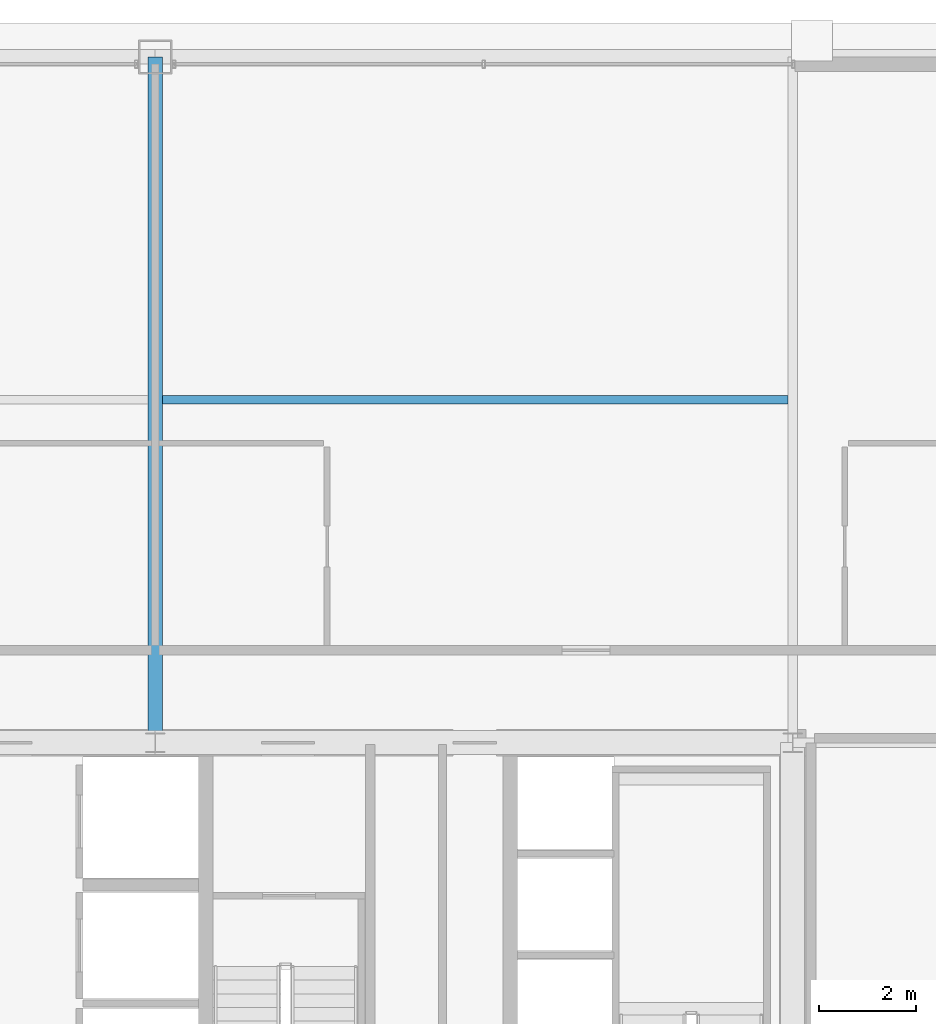
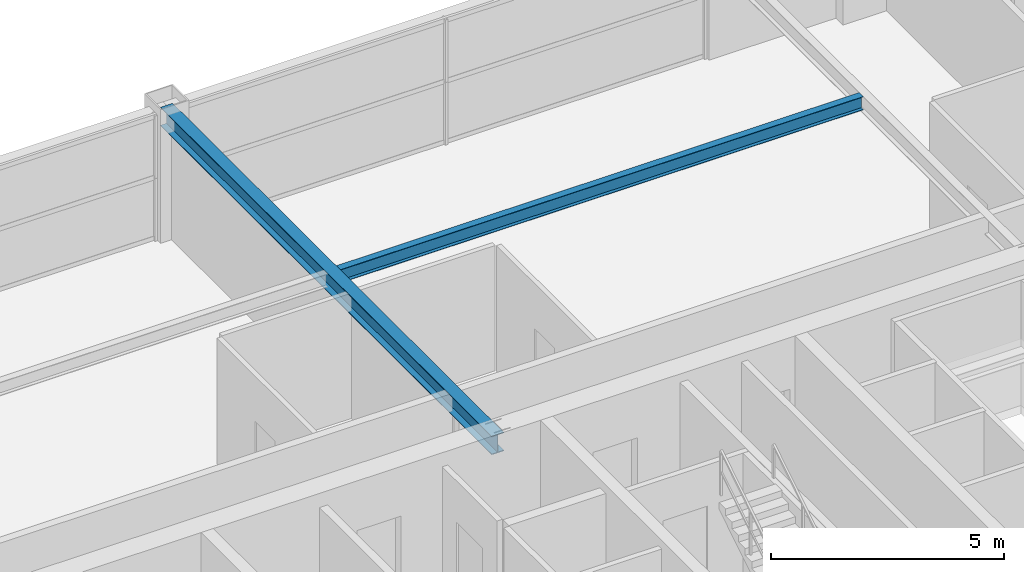
# One storey, part 27 of 36: 2 beams.
"""IFC4 building model written with IfcOpenShell, lengths in metres."""

from ifc_helpers import new_model, si_unit, direction, frame, origin, origin_2d, place, context, subcontext, project, spatial, i_section, extrude, source, transform, mapped, material, material_profile, profile_set, type_object, element, save


model = new_model("IFC4")

# Units and contexts
model_context = context("Model", 3, precision=1e-05, world=origin(), true_north=direction((0.0, 1.0)))
body_context = subcontext(model_context, "Body", "Model", "MODEL_VIEW")
ifc_project = project(units=[si_unit("LENGTHUNIT", "METRE"), si_unit("AREAUNIT", "SQUARE_METRE"), si_unit("VOLUMEUNIT", "CUBIC_METRE"), si_unit("PLANEANGLEUNIT", "RADIAN"), si_unit("MASSUNIT", "GRAM", prefix="KILO"), si_unit("THERMODYNAMICTEMPERATUREUNIT", "KELVIN"), si_unit("POWERUNIT", "WATT")], contexts=[model_context])

# Site, building, storey
site_placement = place(None, origin())
site = spatial("IfcSite", under=ifc_project, at=site_placement, CompositionType="ELEMENT")
building_placement = place(site_placement, origin())
building = spatial("IfcBuilding", under=site, at=building_placement, Name="Yuzanri Waterfront Tower", CompositionType="ELEMENT")
storey_placement = place(building_placement, frame((0.0, 0.0, 231.10009765625)))
storey = spatial("IfcBuildingStorey", under=building, at=storey_placement, Name="L61", CompositionType="ELEMENT", Elevation=231.10009765625)

# Beams
ifc_material_1 = material(Name="Steel Q355B", Category="steel")
ifc_material_profile_1 = material_profile(ifc_material_1, i_section(OverallWidth=0.300048828125, OverallDepth=0.488037109375, WebThickness=0.010986328125, FlangeThickness=0.01806640625, at=origin_2d()), Name="HM 488x300x11x18")
ifc_profile_set_1 = profile_set([ifc_material_profile_1], Name="Steel Q355B")
beam_type_1 = type_object("IfcBeamType", Name="Primary Floor Girder Q355B HM 488x300", PredefinedType="BEAM", material=ifc_profile_set_1)
shared_shape_1 = source(origin(), body_context, "Body", "SweptSolid", [
    extrude(i_section(OverallWidth=0.300048828125, OverallDepth=0.488037109375, WebThickness=0.010986328125, FlangeThickness=0.01806640625, at=origin_2d()), origin(), (0.0, 0.0, 1.0), 14.199951171875),
])
beam_1_placement = place(storey_placement, frame((37.0, 32.199951171875, 3.035888671875), z_axis=(0.0, 1.0, 0.0), x_axis=(-1.0, 0.0, 0.0)))
element("IfcBeam", 1, at=beam_1_placement, inside=storey, type_object=beam_type_1, Name="L61 North Grid Girder", PredefinedType="BEAM", context=body_context, shape_type="MappedRepresentation", body=[
    mapped(shared_shape_1, transform((0.0, 0.0, 0.0), scale=1.0)),
])
ifc_material_2 = material(Name="Steel Q355B", Category="steel")
ifc_material_profile_2 = material_profile(ifc_material_2, i_section(OverallWidth=0.175048828125, OverallDepth=0.35009765625, WebThickness=0.007080078125, FlangeThickness=0.010986328125, at=origin_2d()), Name="HN 350x175x7x11")
ifc_profile_set_2 = profile_set([ifc_material_profile_2], Name="Steel Q355B")
beam_type_2 = type_object("IfcBeamType", Name="Floor Joist Q355B HN 350x175", PredefinedType="JOIST", material=ifc_profile_set_2)
shared_shape_2 = source(origin(), body_context, "Body", "SweptSolid", [
    extrude(i_section(OverallWidth=0.175048828125, OverallDepth=0.35009765625, WebThickness=0.007080078125, FlangeThickness=0.010986328125, at=origin_2d()), origin(), (0.0, 0.0, 1.0), 12.9501953125),
])
beam_2_placement = place(storey_placement, frame((37.14990234375, 39.300048828125, 3.10498046875), z_axis=(1.0, 0.0, 0.0), x_axis=(0.0, 1.0, 0.0)))
element("IfcBeam", 2, at=beam_2_placement, inside=storey, type_object=beam_type_2, Name="L61 North Bay Joist E", PredefinedType="JOIST", context=body_context, shape_type="MappedRepresentation", body=[
    mapped(shared_shape_2, transform((0.0, 0.0, 0.0), scale=1.0)),
])

save(model, "model.ifc")
